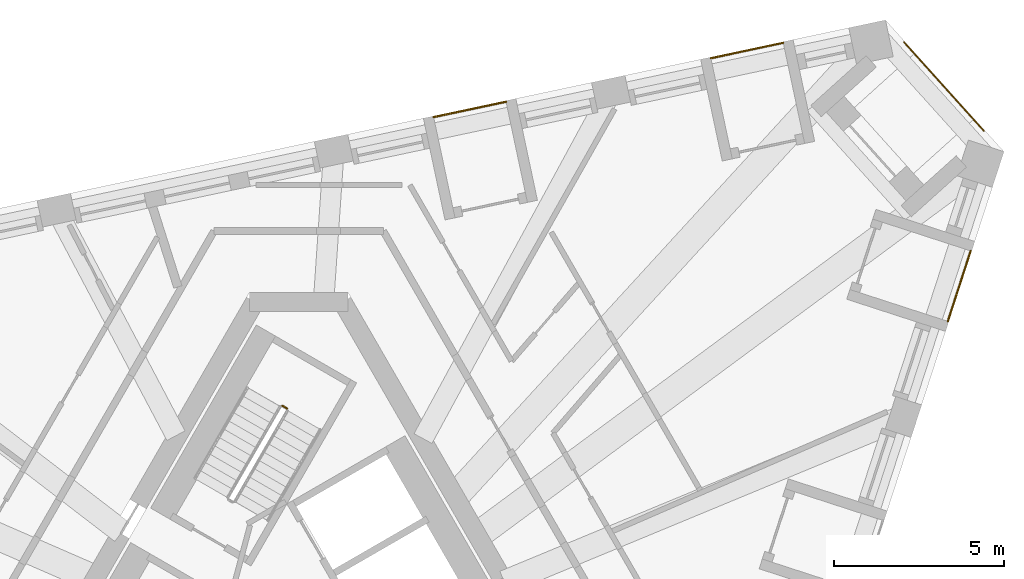
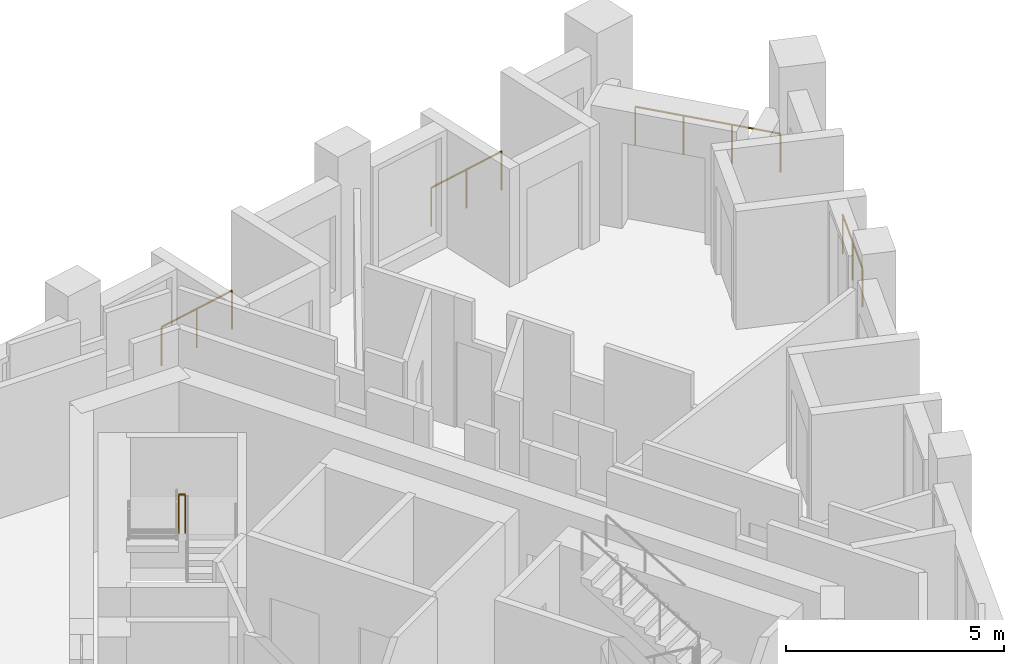
# One storey, part 13 of 13: 5 railings.
"""IFC4 building model written with IfcOpenShell, lengths in metres."""

from ifc_helpers import new_model, si_unit, direction, frame, origin, origin_2d, place, context, subcontext, project, spatial, circle, extrude, material, type_object, element, save


model = new_model("IFC4")

# Units and contexts
model_context = context("Model", 3, precision=1e-05, world=origin(), true_north=direction((0.0, 1.0)))
body_context = subcontext(model_context, "Body", "Model", "MODEL_VIEW")
ifc_project = project(units=[si_unit("LENGTHUNIT", "METRE"), si_unit("AREAUNIT", "SQUARE_METRE"), si_unit("VOLUMEUNIT", "CUBIC_METRE"), si_unit("PLANEANGLEUNIT", "RADIAN"), si_unit("MASSUNIT", "GRAM", prefix="KILO")], contexts=[model_context])

# Site, building, storey
site_placement = place(None, origin())
site = spatial("IfcSite", under=ifc_project, at=site_placement, CompositionType="ELEMENT")
building_placement = place(site_placement, origin())
building = spatial("IfcBuilding", under=site, at=building_placement, Name="Tramontana Tower", CompositionType="ELEMENT")
storey_placement = place(building_placement, frame((0.0, 0.0, 328.39990234375)))
storey = spatial("IfcBuildingStorey", under=building, at=storey_placement, Name="L75", CompositionType="ELEMENT", Elevation=328.39990234375)

# Railings
ifc_material_1 = material(Name="Laminated glass balustrade", Category="glass")
railing_type_1 = type_object("IfcRailingType", Name="GD1 Loggia glass balustrade 1100", PredefinedType="BALUSTRADE", material=ifc_material_1)
railing_1_placement = place(storey_placement, frame((19.0400390625, 10.1552734375, 0.0)))
element("IfcRailing", 1, at=railing_1_placement, inside=storey, type_object=railing_type_1, Name="Loggia balustrade L75 G8S1.13", PredefinedType="BALUSTRADE", context=body_context, shape_type="SweptSolid", body=[
    extrude(circle(Radius=0.02392578125, at=origin_2d()), frame((0.0, 0.0, 1.076171875), z_axis=(0.308966581759, 0.95107289487, 0.0), x_axis=(-0.95107289487, 0.308966581759, 0.0)), (0.0, 0.0, 1.0), 2.17138671875),
    extrude(circle(Radius=0.02099609375, at=origin_2d()), origin(), (0.0, 0.0, 1.0), 1.052001953125),
    extrude(circle(Radius=0.02099609375, at=origin_2d()), frame((0.33544921875, 1.03271484375, 0.0)), (0.0, 0.0, 1.0), 1.052001953125),
    extrude(circle(Radius=0.02099609375, at=origin_2d()), frame((0.6708984375, 2.065185546875, 0.0)), (0.0, 0.0, 1.0), 1.052001953125),
])
for number, where, name in (
    (2, (14.2138671875, 18.32568359375, 0.0), "Loggia balustrade L75 G8S2.1"),
    (3, (6.08154296875, 16.59716796875, 0.0), "Loggia balustrade L75 G8S2.4"),
):
    element("IfcRailing", number, at=place(storey_placement, frame(where)), inside=storey, type_object=railing_type_1, Name=name, PredefinedType="BALUSTRADE", context=body_context, shape_type="SweptSolid", body=[
        extrude(circle(Radius=0.02392578125, at=origin_2d()), frame((0.0, 0.0, 1.076171875), z_axis=(-0.978148276005, -0.207908513891, 0.0), x_axis=(0.207908513891, -0.978148276005, 0.0)), (0.0, 0.0, 1.0), 2.171142578125),
        extrude(circle(Radius=0.02099609375, at=origin_2d()), origin(), (0.0, 0.0, 1.0), 1.052001953125),
        extrude(circle(Radius=0.02099609375, at=origin_2d()), frame((-1.06201171875, -0.2255859375, 0.0)), (0.0, 0.0, 1.0), 1.052001953125),
        extrude(circle(Radius=0.02099609375, at=origin_2d()), frame((-2.123779296875, -0.451416015625, 0.0)), (0.0, 0.0, 1.0), 1.052001953125),
    ])
railing_2_placement = place(storey_placement, frame((17.7568359375, 18.34326171875, 0.0)))
element("IfcRailing", 4, at=railing_2_placement, inside=storey, type_object=railing_type_1, Name="Corner loggia balustrade L75 K82", PredefinedType="BALUSTRADE", context=body_context, shape_type="SweptSolid", body=[
    extrude(circle(Radius=0.02392578125, at=origin_2d()), frame((0.0, 0.0, 1.076171875), z_axis=(0.669134277936, -0.743141519559, 0.0), x_axis=(0.743141519559, 0.669134277936, 0.0)), (0.0, 0.0, 1.0), 3.5),
    extrude(circle(Radius=0.02099609375, at=origin_2d()), origin(), (0.0, 0.0, 1.0), 1.052001953125),
    extrude(circle(Radius=0.02099609375, at=origin_2d()), frame((0.78076171875, -0.866943359375, 0.0)), (0.0, 0.0, 1.0), 1.052001953125),
    extrude(circle(Radius=0.02099609375, at=origin_2d()), frame((1.561279296875, -1.734130859375, 0.0)), (0.0, 0.0, 1.0), 1.052001953125),
    extrude(circle(Radius=0.02099609375, at=origin_2d()), frame((2.342041015625, -2.60107421875, 0.0)), (0.0, 0.0, 1.0), 1.052001953125),
])
ifc_material_2 = material(Name="Painted steel", Category="steel")
railing_type_2 = type_object("IfcRailingType", Name="STAIR GUARD 1100", PredefinedType="GUARDRAIL", material=ifc_material_2)
railing_3_placement = place(storey_placement, frame((-0.345703125, 7.601318359375, 2.0)))
element("IfcRailing", 5, at=railing_3_placement, inside=storey, type_object=railing_type_2, Name="L75 ST1 stair guard 3", PredefinedType="GUARDRAIL", context=body_context, shape_type="SweptSolid", body=[
    extrude(circle(Radius=0.02392578125, at=origin_2d()), frame((0.0, 0.0, 1.076171875), z_axis=(-0.866131372301, 0.499816412211, 0.0), x_axis=(-0.499816412211, -0.866131372301, 0.0)), (0.0, 0.0, 1.0), 0.14990234375),
    extrude(circle(Radius=0.02099609375, at=origin_2d()), origin(), (0.0, 0.0, 1.0), 1.052001953125),
    extrude(circle(Radius=0.02099609375, at=origin_2d()), frame((-0.1298828125, 0.074951171875, 0.0)), (0.0, 0.0, 1.0), 1.052001953125),
])

save(model, "model.ifc")
